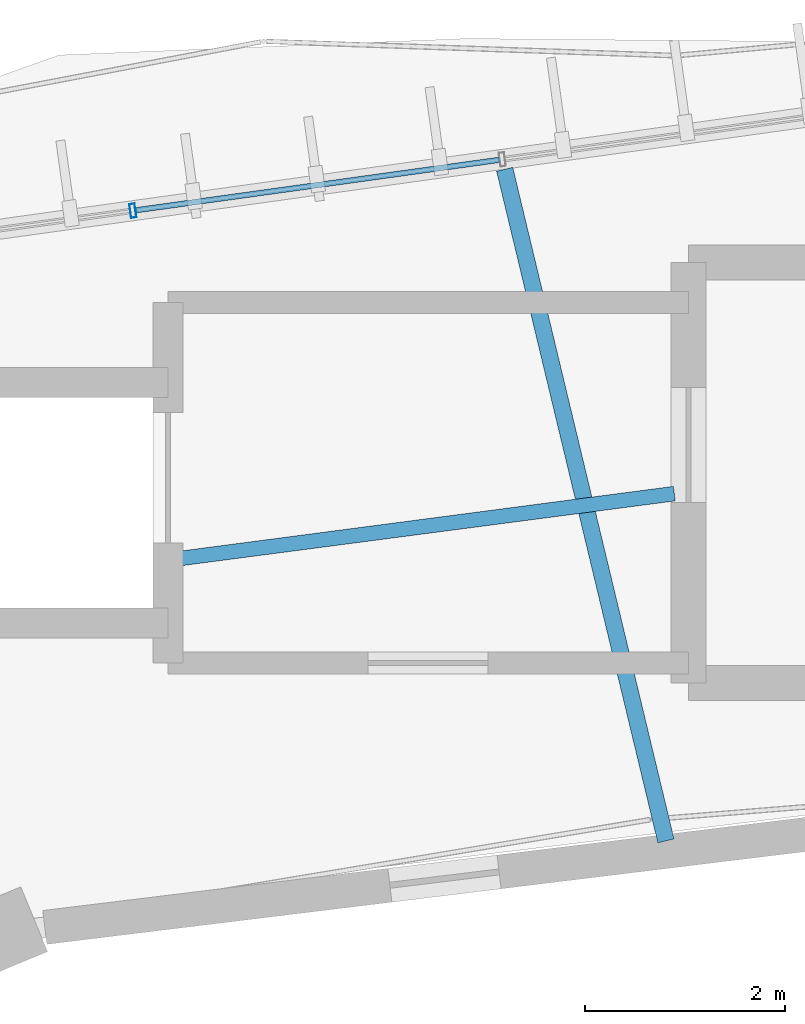
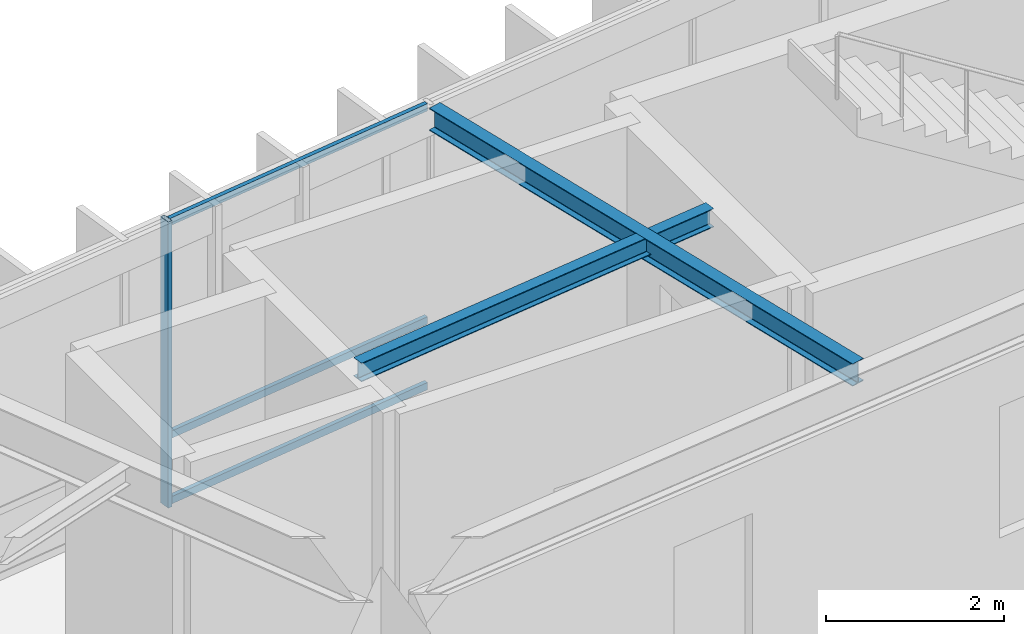
# One storey, part 73 of 152: 4 members, 2 beams, 1 element without a shape of its own.
"""IFC4 building model written with IfcOpenShell, lengths in metres."""

from ifc_helpers import new_model, si_unit, direction, frame, origin, origin_2d, place, context, subcontext, project, spatial, hollow_rectangle, i_section, extrude, material, material_profile, profile_set, type_object, element, aggregate, save


model = new_model("IFC4")

# Units and contexts
model_context = context("Model", 3, precision=1e-05, world=origin(), true_north=direction((0.0, 1.0)))
body_context = subcontext(model_context, "Body", "Model", "MODEL_VIEW")
ifc_project = project(units=[si_unit("LENGTHUNIT", "METRE"), si_unit("AREAUNIT", "SQUARE_METRE"), si_unit("VOLUMEUNIT", "CUBIC_METRE"), si_unit("PLANEANGLEUNIT", "RADIAN"), si_unit("MASSUNIT", "GRAM", prefix="KILO"), si_unit("THERMODYNAMICTEMPERATUREUNIT", "KELVIN"), si_unit("POWERUNIT", "WATT")], contexts=[model_context])

# Site, building, storey
site_placement = place(None, origin())
site = spatial("IfcSite", under=ifc_project, at=site_placement, CompositionType="ELEMENT")
building_placement = place(site_placement, origin())
building = spatial("IfcBuilding", under=site, at=building_placement, Name="Darbajah Civic Hall", CompositionType="ELEMENT")
storey_placement = place(building_placement, frame((0.0, 0.0, 5.39990234375)))
storey = spatial("IfcBuildingStorey", under=building, at=storey_placement, Name="L01", CompositionType="ELEMENT", Elevation=5.39990234375)

# Curtain wall, members
ifc_material_1 = material(Name="Anodised Bronze Aluminium and Low-E Glazing", Category="aluminium")
curtain_wall_type = type_object("IfcCurtainWallType", Name="Unitised Curtain Wall CW-23 14900x3900", PredefinedType="USERDEFINED", material=ifc_material_1)
curtain_wall_placement = place(storey_placement, origin())
curtain_wall = element("IfcCurtainWall", 1, at=curtain_wall_placement, inside=storey, type_object=curtain_wall_type, Name="L01 unitised curtain wall CW-V1O-L01-05", ObjectType="UNITISED CURTAIN WALL", PredefinedType="USERDEFINED")
ifc_material_2 = material(Name="Anodised Bronze Aluminium", Category="aluminium")
ifc_material_profile_1 = material_profile(ifc_material_2, hollow_rectangle(XDim=0.054931640625, YDim=0.139892578125, WallThickness=0.003173828125, at=origin_2d()), Name="ALU MULLION 55x140")
ifc_profile_set_1 = profile_set([ifc_material_profile_1], Name="Anodised Bronze Aluminium")
member_type_1 = type_object("IfcMemberType", Name="ALU MULLION 55x140", PredefinedType="MULLION", material=ifc_profile_set_1)
member_1_placement = place(storey_placement, frame((73.648681640625, 117.618896484375, 0.0), z_axis=(0.0, 0.0, 1.0), x_axis=(-0.990485459553, -0.137617420457, 0.0)))
member_1 = element("IfcMember", 2, at=member_1_placement, type_object=member_type_1, Name="CW-V1O-L01-05 mullion 4", PredefinedType="MULLION", context=body_context, shape_type="SweptSolid", body=[
    extrude(hollow_rectangle(XDim=0.054931640625, YDim=0.139892578125, WallThickness=0.003173828125, at=origin_2d()), origin(), (0.0, 0.0, 1.0), 3.920166015625),
])
ifc_material_profile_2 = material_profile(ifc_material_2, hollow_rectangle(XDim=0.054931640625, YDim=0.10009765625, WallThickness=0.0029296875, at=origin_2d()), Name="ALU TRANSOM 55x100")
ifc_profile_set_2 = profile_set([ifc_material_profile_2], Name="Anodised Bronze Aluminium")
member_type_2 = type_object("IfcMemberType", Name="ALU TRANSOM 55x100", PredefinedType="USERDEFINED", material=ifc_profile_set_2)
member_2_placement = place(storey_placement, frame((77.30859375, 118.127197265625, 0.050048828125), z_axis=(-0.99049908429, -0.137519322356, 0.0), x_axis=(0.137519322356, -0.99049908429, 0.0)))
member_2 = element("IfcMember", 3, at=member_2_placement, type_object=member_type_2, Name="CW-V1O-L01-05 transom 3.1", ObjectType="TRANSOM", PredefinedType="USERDEFINED", context=body_context, shape_type="SweptSolid", body=[
    extrude(hollow_rectangle(XDim=0.054931640625, YDim=0.10009765625, WallThickness=0.0029296875, at=origin_2d()), origin(), (0.0, 0.0, 1.0), 3.66259765625),
])
member_3_placement = place(storey_placement, frame((77.30859375, 118.127197265625, 0.9501953125), z_axis=(-0.99049908429, -0.137519322356, 0.0), x_axis=(0.137519322356, -0.99049908429, 0.0)))
member_3 = element("IfcMember", 4, at=member_3_placement, type_object=member_type_2, Name="CW-V1O-L01-05 transom 3.2", ObjectType="TRANSOM", PredefinedType="USERDEFINED", context=body_context, shape_type="SweptSolid", body=[
    extrude(hollow_rectangle(XDim=0.054931640625, YDim=0.10009765625, WallThickness=0.0029296875, at=origin_2d()), origin(), (0.0, 0.0, 1.0), 3.66259765625),
])
member_4_placement = place(storey_placement, frame((77.30859375, 118.127197265625, 3.8701171875), z_axis=(-0.99049908429, -0.137519322356, 0.0), x_axis=(0.137519322356, -0.99049908429, 0.0)))
member_4 = element("IfcMember", 5, at=member_4_placement, type_object=member_type_2, Name="CW-V1O-L01-05 transom 3.3", ObjectType="TRANSOM", PredefinedType="USERDEFINED", context=body_context, shape_type="SweptSolid", body=[
    extrude(hollow_rectangle(XDim=0.054931640625, YDim=0.10009765625, WallThickness=0.0029296875, at=origin_2d()), origin(), (0.0, 0.0, 1.0), 3.66259765625),
])
aggregate(curtain_wall, [member_1, member_2, member_3, member_4])

# Beams
ifc_material_3 = material(Name="Steel S355JR", Category="steel")
ifc_material_profile_3 = material_profile(ifc_material_3, i_section(OverallWidth=0.146484375, OverallDepth=0.256103515625, WebThickness=0.00634765625, FlangeThickness=0.010986328125, FilletRadius=0.007568359375, at=origin_2d()), Name="UB 254x146x37")
ifc_profile_set_3 = profile_set([ifc_material_profile_3], Name="Steel S355JR")
beam_type_1 = type_object("IfcBeamType", Name="UB 254x146x37", PredefinedType="JOIST", material=ifc_profile_set_3)
beam_1_placement = place(storey_placement, frame((79.06005859375, 114.791015625, 3.7919921875), z_axis=(-0.991500932095, -0.130099583607, 0.0), x_axis=(0.130099583607, -0.991500932095, 0.0)))
element("IfcBeam", 6, at=beam_1_placement, inside=storey, type_object=beam_type_1, Name="L01 beam SJ-254", PredefinedType="JOIST", context=body_context, shape_type="SweptSolid", body=[
    extrude(i_section(OverallWidth=0.146484375, OverallDepth=0.256103515625, WebThickness=0.00634765625, FlangeThickness=0.010986328125, FilletRadius=0.007568359375, at=origin_2d()), origin(), (0.0, 0.0, 1.0), 4.982177734375),
])
ifc_material_profile_4 = material_profile(ifc_material_3, i_section(OverallWidth=0.165771484375, OverallDepth=0.306640625, WebThickness=0.006591796875, FlangeThickness=0.01171875, FilletRadius=0.0087890625, at=origin_2d()), Name="UB 305x165x46")
ifc_profile_set_4 = profile_set([ifc_material_profile_4], Name="Steel S355JR")
beam_type_2 = type_object("IfcBeamType", Name="UB 305x165x46", PredefinedType="JOIST", material=ifc_profile_set_4)
beam_2_placement = place(storey_placement, frame((78.976318359375, 111.320068359375, 3.766845703125), z_axis=(-0.233446518106, 0.972369643286, 0.0), x_axis=(-0.972369643286, -0.233446518106, 0.0)))
element("IfcBeam", 7, at=beam_2_placement, inside=storey, type_object=beam_type_2, Name="L01 beam SJ-305", PredefinedType="JOIST", context=body_context, shape_type="SweptSolid", body=[
    extrude(i_section(OverallWidth=0.165771484375, OverallDepth=0.306640625, WebThickness=0.006591796875, FlangeThickness=0.01171875, FilletRadius=0.0087890625, at=origin_2d()), origin(), (0.0, 0.0, 1.0), 6.9033203125),
])

save(model, "model.ifc")
